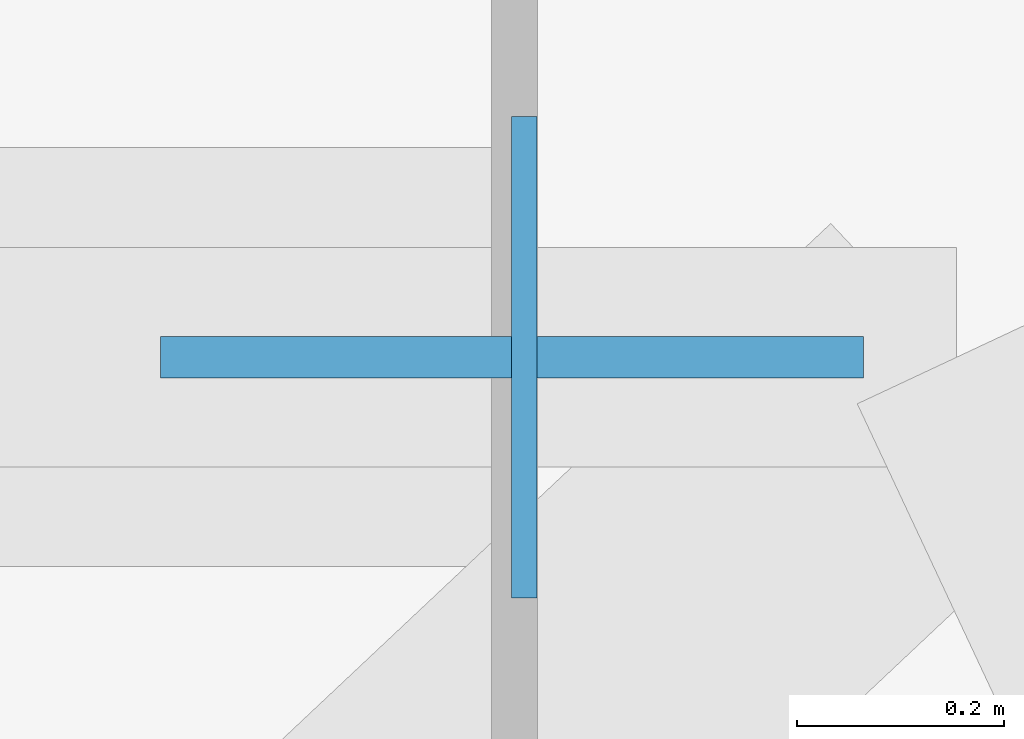
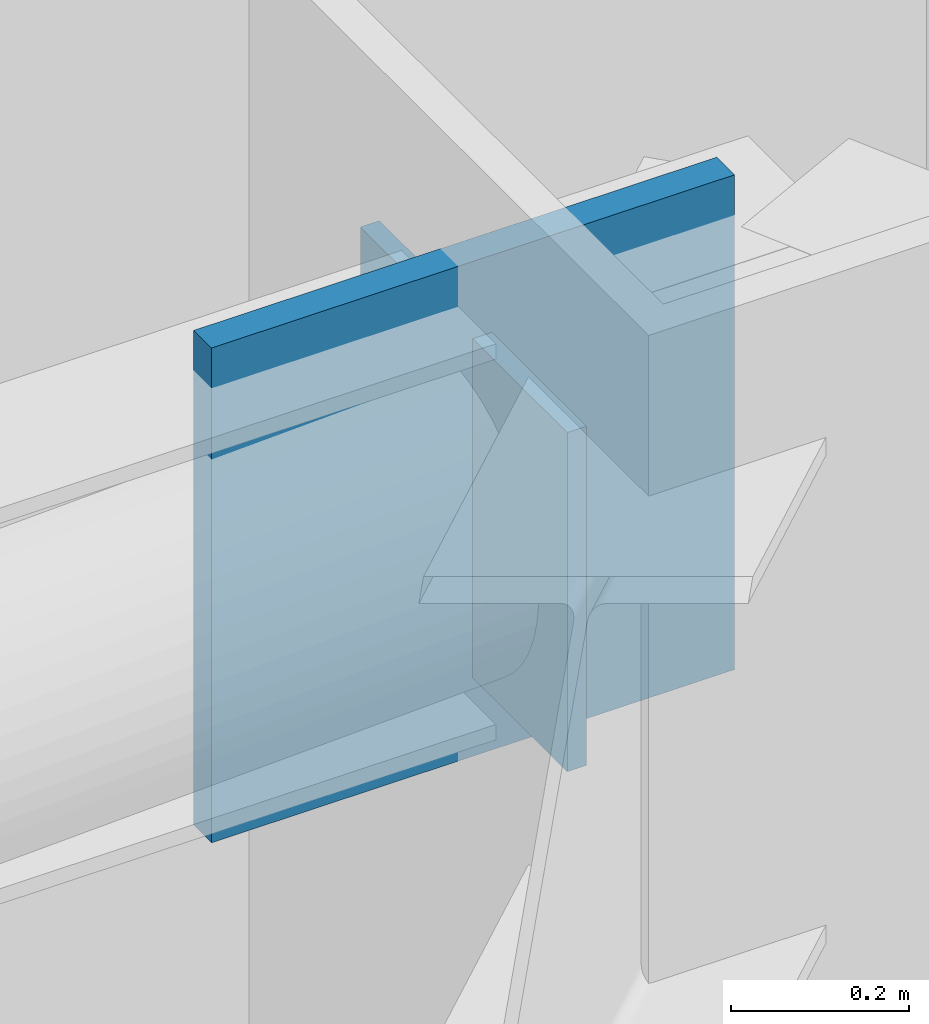
# One storey, part 10 of 18: 2 plates.
"""IFC4 building model written with IfcOpenShell, lengths in metres."""

from ifc_helpers import new_model, si_unit, direction, frame, origin, origin_2d, place, context, subcontext, project, spatial, rectangle, extrude, material, layer, layer_set, type_object, element, save


model = new_model("IFC4")

# Units and contexts
model_context = context("Model", 3, precision=1e-05, world=origin(), true_north=direction((0.0, 1.0)))
body_context = subcontext(model_context, "Body", "Model", "MODEL_VIEW")
ifc_project = project(units=[si_unit("LENGTHUNIT", "METRE"), si_unit("AREAUNIT", "SQUARE_METRE"), si_unit("VOLUMEUNIT", "CUBIC_METRE"), si_unit("PLANEANGLEUNIT", "RADIAN"), si_unit("MASSUNIT", "GRAM", prefix="KILO")], contexts=[model_context])

# Site, building, storey
site_placement = place(None, origin())
site = spatial("IfcSite", under=ifc_project, at=site_placement, CompositionType="ELEMENT")
building_placement = place(site_placement, origin())
building = spatial("IfcBuilding", under=site, at=building_placement, Name="Khamvora Tower", CompositionType="ELEMENT")
storey_placement = place(building_placement, frame((0.0, 0.0, 181.449951171875)))
storey = spatial("IfcBuildingStorey", under=building, at=storey_placement, Name="L46", CompositionType="ELEMENT", Elevation=181.449951171875)

# Plates
ifc_material_1 = material(Name="Steel S355", Category="steel")
ifc_layer_1 = layer(ifc_material_1, 0.02490234375)
ifc_layer_set_1 = layer_set([ifc_layer_1], Name="Steel S355")
plate_type_1 = type_object("IfcPlateType", Name="PL-CAP-25", PredefinedType="SHEET", material=ifc_layer_set_1)
plate_1_placement = place(storey_placement, frame((56.33203125, 44.5, 2.912109375), z_axis=(0.0, 0.0, 1.0), x_axis=(1.0, 0.0, 0.0)))
element("IfcPlate", 1, at=plate_1_placement, inside=storey, type_object=plate_type_1, Name="L46 hollow section steel end cap plate 0967", PredefinedType="SHEET", context=body_context, shape_type="SweptSolid", body=[
    extrude(rectangle(XDim=0.02490234375, YDim=0.466064453125, at=origin_2d()), origin(), (0.0, 0.0, 1.0), 0.466064453125),
])
ifc_material_2 = material(Name="Steel S460", Category="steel")
ifc_layer_2 = layer(ifc_material_2, 0.0400390625)
ifc_layer_set_2 = layer_set([ifc_layer_2], Name="Steel S460")
plate_type_2 = type_object("IfcPlateType", Name="PLT-GUS-40", PredefinedType="SHEET", material=ifc_layer_set_2)
plate_2_placement = place(storey_placement, frame((56.320068359375, 44.5, 2.80419921875), z_axis=(0.0, 0.0, 1.0), x_axis=(1.0, 0.0, 0.0)))
element("IfcPlate", 2, at=plate_2_placement, inside=storey, type_object=plate_type_2, Name="L46 brace connection node gusset plate 0304", PredefinedType="SHEET", context=body_context, shape_type="SweptSolid", body=[
    extrude(rectangle(XDim=0.679931640625, YDim=0.0400390625, at=origin_2d()), origin(), (0.0, 0.0, 1.0), 0.679931640625),
])

save(model, "model.ifc")
